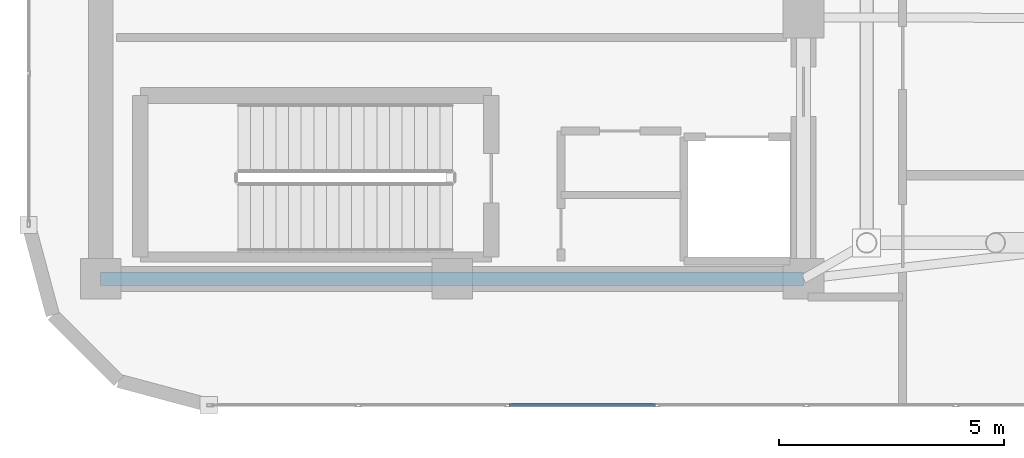
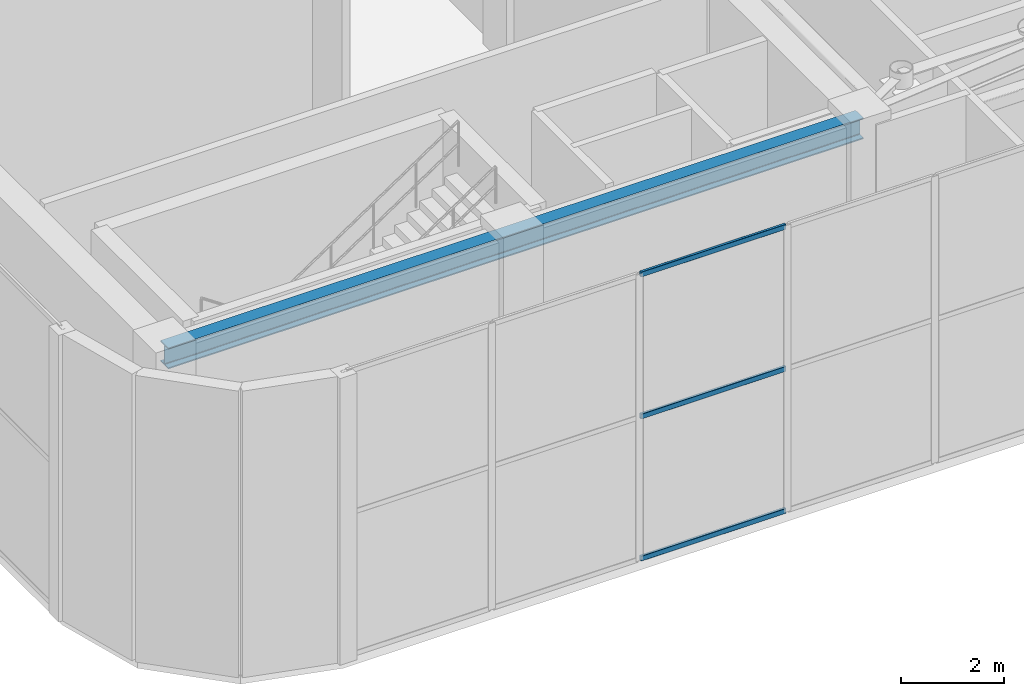
# One storey, part 3 of 24: 3 members, 1 beam, 1 element without a shape of its own.
"""IFC4 building model written with IfcOpenShell, lengths in metres."""

import ifcopenshell
import ifcopenshell.guid

model = None  # the IFC model being written
_history = None  # IfcOwnerHistory: only IFC2X3 demands one
_inside = {}  # id of a spatial element -> (the spatial element, [elements in it])
_under = {}  # id of a project, library or spatial element -> (it, [spatial elements below it])
_declared = {}  # id of a project -> (the project, [libraries it declares])
_typed = {}  # id of a type object -> (the type object, [elements of that type])
_made_of = {}  # id of a material, layer set ... -> (it, [elements and type objects made of it])


def new_model(schema):
    """Start an empty IFC model of exactly this schema.

    Asked for "IFC4X3", IfcOpenShell would pick the latest addendum, in which some entities
    have other attributes; the version numbers below select the first issue.
    IFC2X3 requires an IfcOwnerHistory on every rooted entity: one is made here for all.
    """
    global model, _history
    if schema == "IFC4X3":
        model = ifcopenshell.file(schema_version=(4, 3, 0, 0))
    else:
        model = ifcopenshell.file(schema=schema)
    _inside.clear()
    _under.clear()
    _declared.clear()
    _typed.clear()
    _made_of.clear()
    _history = None
    if model.schema == "IFC2X3":
        org = make("IfcOrganization", Name="unknown")
        user = make(
            "IfcPersonAndOrganization",
            ThePerson=make("IfcPerson", FamilyName="unknown"),
            TheOrganization=org,
        )
        app = make(
            "IfcApplication",
            ApplicationDeveloper=org,
            Version="unknown",
            ApplicationFullName="unknown",
            ApplicationIdentifier="unknown",
        )
        _history = make(
            "IfcOwnerHistory",
            OwningUser=user,
            OwningApplication=app,
            ChangeAction="ADDED",
            CreationDate=0,
        )
    return model


def make(cls, **values):
    """One entity of the class cls with the attributes given. An attribute that is None is left unset."""
    return model.create_entity(
        cls, **{name: value for name, value in values.items() if value is not None}
    )


def rooted(cls, **values):
    """An entity with a GlobalId (a new one), such as an element, a storey or a relation."""
    return make(cls, GlobalId=ifcopenshell.guid.new(), OwnerHistory=_history, **values)


def si_unit(unit_type, name, prefix=None):
    """IfcSIUnit, for example si_unit("LENGTHUNIT", "METRE", prefix="MILLI")."""
    return make("IfcSIUnit", UnitType=unit_type, Prefix=prefix, Name=name)


def assignment(units):
    """IfcUnitAssignment: the units of a project."""
    return None if units is None else make("IfcUnitAssignment", Units=units)


def point(xyz):
    """IfcCartesianPoint."""
    return None if xyz is None else make("IfcCartesianPoint", Coordinates=xyz)


def direction(xyz):
    """IfcDirection."""
    return None if xyz is None else make("IfcDirection", DirectionRatios=xyz)


def frame(location, z_axis=None, x_axis=None):
    """IfcAxis2Placement3D, a coordinate frame: its origin and axes. An axis left out is left unset."""
    return make(
        "IfcAxis2Placement3D",
        Location=point(location),
        Axis=direction(z_axis),
        RefDirection=direction(x_axis),
    )


def frame_2d(location, x_axis=None):
    """IfcAxis2Placement2D, a coordinate frame in the plane: its origin and x axis."""
    return make(
        "IfcAxis2Placement2D", Location=point(location), RefDirection=direction(x_axis)
    )


def origin():
    """The frame at (0, 0, 0) with its axes left unset."""
    return frame((0.0, 0.0, 0.0))


def origin_2d():
    """The frame at (0, 0) in the plane with its x axis left unset."""
    return frame_2d((0.0, 0.0))


def place(relative_to, where):
    """IfcLocalPlacement: puts the frame where relative to a parent placement (None: the world)."""
    return make(
        "IfcLocalPlacement", PlacementRelTo=relative_to, RelativePlacement=where
    )


def context(
    kind, dimensions, precision=None, world=None, true_north=None, identifier=None
):
    """IfcGeometricRepresentationContext, for example the 3D "Model" context."""
    return make(
        "IfcGeometricRepresentationContext",
        ContextIdentifier=identifier,
        ContextType=kind,
        CoordinateSpaceDimension=dimensions,
        Precision=precision,
        WorldCoordinateSystem=world,
        TrueNorth=true_north,
    )


def subcontext(parent, identifier, kind, view, scale=None):
    """IfcGeometricRepresentationSubContext, for example "Body" below "Model"."""
    return make(
        "IfcGeometricRepresentationSubContext",
        ContextIdentifier=identifier,
        ContextType=kind,
        ParentContext=parent,
        TargetScale=scale,
        TargetView=view,
    )


def project(units=None, contexts=None):
    """IfcProject with its units and contexts."""
    return rooted(
        "IfcProject",
        Name="project",
        RepresentationContexts=contexts,
        UnitsInContext=assignment(units),
    )


def spatial(cls, under=None, at=None, **own):
    """A site, building, storey or space (cls), placed at a placement, below another one or the project."""
    s = rooted(cls, ObjectPlacement=at, **own)
    if under is not None:
        _under.setdefault(under.id(), (under, []))[1].append(s)
    return s


def profile(cls, at=None, kind="AREA", **sizes):
    """A parametric profile (cls). Its sizes go by their IFC names, for example OverallWidth=200.0."""
    return make(cls, ProfileType=kind, Position=at, **sizes)


def hollow_rectangle(**sizes):
    """IfcRectangleHollowProfileDef."""
    return profile("IfcRectangleHollowProfileDef", **sizes)


def i_section(**sizes):
    """IfcIShapeProfileDef."""
    return profile("IfcIShapeProfileDef", **sizes)


def extrude(swept, where, along, depth):
    """IfcExtrudedAreaSolid: the profile swept, set in the frame where, extruded along a direction by depth."""
    return make(
        "IfcExtrudedAreaSolid",
        SweptArea=swept,
        Position=where,
        ExtrudedDirection=direction(along),
        Depth=depth,
    )


def shape(context_of_items, identifier, shape_type, items):
    """IfcShapeRepresentation: the items that make up one representation, for example the "Body"."""
    return make(
        "IfcShapeRepresentation",
        ContextOfItems=context_of_items,
        RepresentationIdentifier=identifier,
        RepresentationType=shape_type,
        Items=items,
    )


def material(Name=None, Category=None):
    """IfcMaterial."""
    return make("IfcMaterial", Name=Name, Category=Category)


def layer(
    of_material, thickness, ventilated=None, Name=None, Category=None, Priority=None
):
    """IfcMaterialLayer: one layer of a wall or slab, of a material (None: an air gap)."""
    return make(
        "IfcMaterialLayer",
        Material=of_material,
        LayerThickness=thickness,
        IsVentilated=ventilated,
        Name=Name,
        Category=Category,
        Priority=Priority,
    )


def layer_set(layers, Name=None):
    """IfcMaterialLayerSet."""
    return make("IfcMaterialLayerSet", MaterialLayers=layers, LayerSetName=Name)


def material_profile(
    of_material, cross_section, Name=None, Category=None, Priority=None
):
    """IfcMaterialProfile: a cross section and its material."""
    return make(
        "IfcMaterialProfile",
        Name=Name,
        Material=of_material,
        Profile=cross_section,
        Priority=Priority,
        Category=Category,
    )


def profile_set(profiles, Name=None, composite=None):
    """IfcMaterialProfileSet."""
    return make(
        "IfcMaterialProfileSet",
        Name=Name,
        MaterialProfiles=profiles,
        CompositeProfile=composite,
    )


def made_of(thing, what):
    """Note that an element or type object is made of a material, layer set ...; save() writes the relation."""
    if what is not None:
        _made_of.setdefault(what.id(), (what, []))[1].append(thing)
    return thing


def type_object(cls, material=None, **own):
    """A type object (cls), such as IfcWallType, which elements share."""
    return made_of(rooted(cls, **own), material)


def element(
    cls,
    number,
    at=None,
    inside=None,
    cuts=None,
    type_object=None,
    material=None,
    context=None,
    identifier="Body",
    shape_type=None,
    held_by="IfcProductDefinitionShape",
    body=None,
    shapes=None,
    **own,
):
    """One element of the class cls, such as IfcWall. Its Tag is "e" and its number.

    at: its placement. inside: the storey or other place that contains it. cuts: it is an
    opening in that element (IfcRelVoidsElement). A single representation is given by context,
    identifier, shape_type and body (its items); several are given by shapes. held_by: the class
    of the entity that holds the representations. save() writes the other relations.
    """
    e = rooted(cls, Tag="e%d" % number, ObjectPlacement=at, **own)
    if body is not None:
        shapes = [shape(context, identifier, shape_type, body)]
    if shapes is not None:
        e.Representation = make(held_by, Representations=shapes)
    if inside is not None:
        _inside.setdefault(inside.id(), (inside, []))[1].append(e)
    if cuts is not None:
        rooted(
            "IfcRelVoidsElement", RelatingBuildingElement=cuts, RelatedOpeningElement=e
        )
    if type_object is not None:
        _typed.setdefault(type_object.id(), (type_object, []))[1].append(e)
    return made_of(e, material)


def aggregate(whole, parts):
    """IfcRelAggregates: a whole, such as a stair, and the parts it consists of."""
    return rooted("IfcRelAggregates", RelatingObject=whole, RelatedObjects=parts)


def save(model, path):
    """Write the relations noted so far, then the file.

    IfcRelAggregates (storeys below a building ...), IfcRelContainedInSpatialStructure (elements
    in a storey), IfcRelDefinesByType, IfcRelAssociatesMaterial and IfcRelDeclares: one each for
    every whole, place, type object, material and project.
    """
    for whole, parts in _under.values():
        aggregate(whole, parts)
    for where, things in _inside.values():
        rooted(
            "IfcRelContainedInSpatialStructure",
            RelatedElements=things,
            RelatingStructure=where,
        )
    for kind, things in _typed.values():
        rooted("IfcRelDefinesByType", RelatedObjects=things, RelatingType=kind)
    for what, things in _made_of.values():
        rooted("IfcRelAssociatesMaterial", RelatedObjects=things, RelatingMaterial=what)
    for by, libraries in _declared.values():
        rooted("IfcRelDeclares", RelatingContext=by, RelatedDefinitions=libraries)
    model.write(path)


model = new_model("IFC4")

# Units and contexts
model_context = context("Model", 3, precision=1e-05, world=origin(), true_north=direction((0.0, 1.0)))
body_context = subcontext(model_context, "Body", "Model", "MODEL_VIEW")
ifc_project = project(units=[si_unit("LENGTHUNIT", "METRE"), si_unit("AREAUNIT", "SQUARE_METRE"), si_unit("VOLUMEUNIT", "CUBIC_METRE"), si_unit("PLANEANGLEUNIT", "RADIAN"), si_unit("MASSUNIT", "GRAM", prefix="KILO")], contexts=[model_context])

# Site, building, storey
site_placement = place(None, origin())
site = spatial("IfcSite", under=ifc_project, at=site_placement, CompositionType="ELEMENT")
building_placement = place(site_placement, origin())
building = spatial("IfcBuilding", under=site, at=building_placement, Name="An Khanh Terracotta Commons", CompositionType="ELEMENT")
storey_placement = place(building_placement, frame((0.0, 0.0, 315.199951171875)))
storey = spatial("IfcBuildingStorey", under=building, at=storey_placement, Name="L80 Crown Cooling Plant", CompositionType="ELEMENT", Elevation=315.199951171875)

# Beam
ifc_material_1 = material(Name="Steel S355J2", Category="steel")
ifc_material_profile_1 = material_profile(ifc_material_1, i_section(OverallWidth=0.300048828125, OverallDepth=0.5, WebThickness=0.014404296875, FlangeThickness=0.028076171875, FilletRadius=0.027099609375, at=origin_2d()), Name="HEB500")
ifc_profile_set_1 = profile_set([ifc_material_profile_1], Name="Steel S355J2")
beam_type = type_object("IfcBeamType", Name="BM-HEB500", PredefinedType="BEAM", material=ifc_profile_set_1)
beam_placement = place(storey_placement, frame((21.60009765625, 14.39990234375, 6.330078125), z_axis=(1.0, 0.0, 0.0), x_axis=(0.0, 1.0, 0.0)))
element("IfcBeam", 1, at=beam_placement, inside=storey, type_object=beam_type, Name="L80 Crown Cooling Plant Core South Coupling Girder", PredefinedType="BEAM", context=body_context, shape_type="SweptSolid", body=[
    extrude(i_section(OverallWidth=0.300048828125, OverallDepth=0.5, WebThickness=0.014404296875, FlangeThickness=0.028076171875, FilletRadius=0.027099609375, at=origin_2d()), origin(), (0.0, 0.0, 1.0), 15.599853515625),
])

# Curtain wall, members
ifc_material_2 = material(Name="Anodised Aluminium 6063-T6", Category="aluminium")
ifc_layer = layer(ifc_material_2, 0.18994140625, Name="Anodised Aluminium 6063-T6")
ifc_layer_set = layer_set([ifc_layer], Name="Anodised Aluminium 6063-T6")
curtain_wall_type = type_object("IfcCurtainWallType", Name="CW-SYS-06", PredefinedType="USERDEFINED", material=ifc_layer_set)
curtain_wall_placement = place(storey_placement, origin())
curtain_wall = element("IfcCurtainWall", 2, at=curtain_wall_placement, inside=storey, type_object=curtain_wall_type, Name="L80 Crown Cooling Plant CW-06 Unitised Curtain Wall CW-L80-04", ObjectType="UNITISED CURTAIN WALL", PredefinedType="USERDEFINED")
ifc_material_profile_2 = material_profile(ifc_material_2, hollow_rectangle(XDim=0.06005859375, YDim=0.1201171875, WallThickness=0.003662109375, InnerFilletRadius=0.003662109375, OuterFilletRadius=0.007080078125, at=origin_2d()), Name="RHS120x60x3.6")
ifc_profile_set_2 = profile_set([ifc_material_profile_2], Name="Anodised Aluminium 6063-T6")
member_type = type_object("IfcMemberType", Name="CWT-RHS120x60x3.6", PredefinedType="USERDEFINED", material=ifc_profile_set_2)
member_1_placement = place(storey_placement, frame((30.663818359375, 11.60009765625, 0.030029296875), z_axis=(1.0, 0.0, 0.0), x_axis=(0.0, 1.0, 0.0)))
member_1 = element("IfcMember", 3, at=member_1_placement, type_object=member_type, Name="CW-06 transom 3.1", ObjectType="TRANSOM", PredefinedType="USERDEFINED", context=body_context, shape_type="SweptSolid", body=[
    extrude(hollow_rectangle(XDim=0.06005859375, YDim=0.1201171875, WallThickness=0.003662109375, InnerFilletRadius=0.003662109375, OuterFilletRadius=0.007080078125, at=origin_2d()), origin(), (0.0, 0.0, 1.0), 3.250732421875),
])
member_2_placement = place(storey_placement, frame((30.663818359375, 11.60009765625, 3.400146484375), z_axis=(1.0, 0.0, 0.0), x_axis=(0.0, 1.0, 0.0)))
member_2 = element("IfcMember", 4, at=member_2_placement, type_object=member_type, Name="CW-06 transom 3.2", ObjectType="TRANSOM", PredefinedType="USERDEFINED", context=body_context, shape_type="SweptSolid", body=[
    extrude(hollow_rectangle(XDim=0.06005859375, YDim=0.1201171875, WallThickness=0.003662109375, InnerFilletRadius=0.003662109375, OuterFilletRadius=0.007080078125, at=origin_2d()), origin(), (0.0, 0.0, 1.0), 3.250732421875),
])
member_3_placement = place(storey_placement, frame((30.663818359375, 11.60009765625, 6.77001953125), z_axis=(1.0, 0.0, 0.0), x_axis=(0.0, 1.0, 0.0)))
member_3 = element("IfcMember", 5, at=member_3_placement, type_object=member_type, Name="CW-06 transom 3.3", ObjectType="TRANSOM", PredefinedType="USERDEFINED", context=body_context, shape_type="SweptSolid", body=[
    extrude(hollow_rectangle(XDim=0.06005859375, YDim=0.1201171875, WallThickness=0.003662109375, InnerFilletRadius=0.003662109375, OuterFilletRadius=0.007080078125, at=origin_2d()), origin(), (0.0, 0.0, 1.0), 3.250732421875),
])
aggregate(curtain_wall, [member_1, member_2, member_3])

save(model, "model.ifc")
